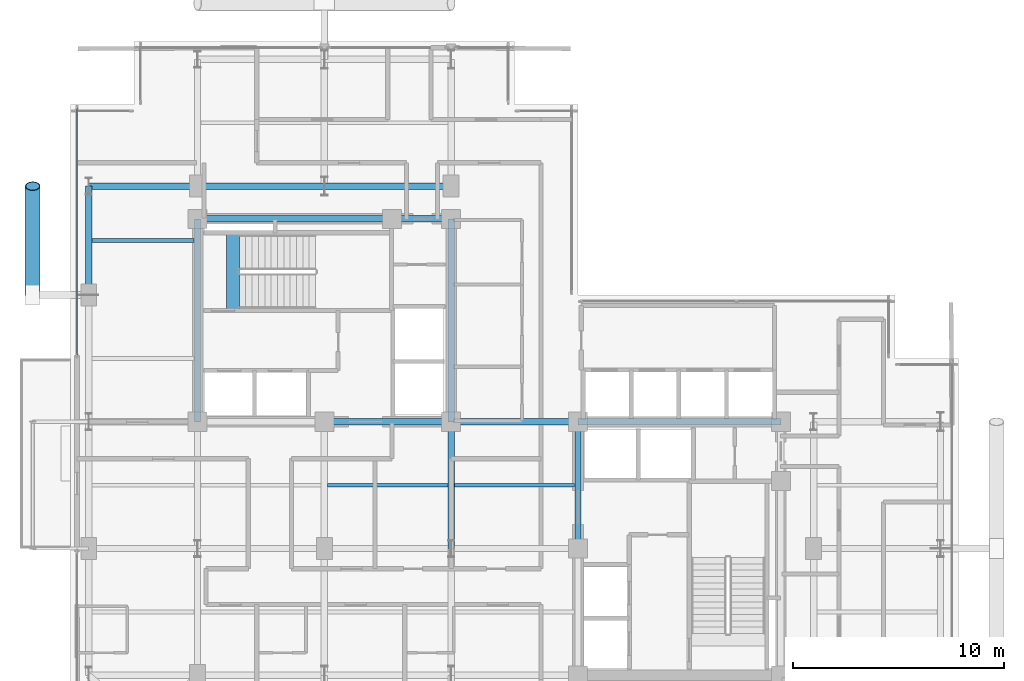
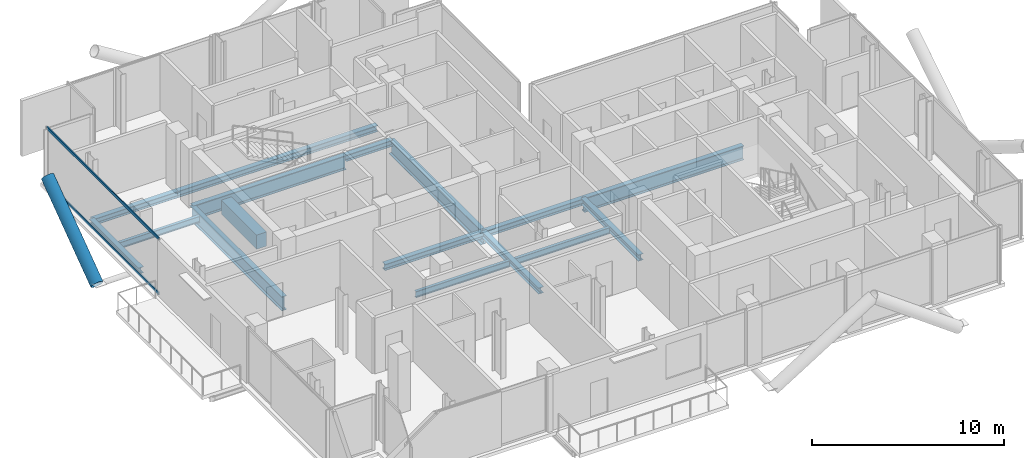
# One storey, part 8 of 22: 17 beams, 3 members, 1 element without a shape of its own.
"""IFC4 building model written with IfcOpenShell, lengths in metres."""

from ifc_helpers import new_model, si_unit, direction, frame, origin, origin_2d, place, context, subcontext, project, spatial, rectangle, hollow_rectangle, hollow_circle, i_section, extrude, material, layer, layer_set, material_profile, profile_set, type_object, element, aggregate, save


model = new_model("IFC4")

# Units and contexts
model_context = context("Model", 3, precision=1e-05, world=origin(), true_north=direction((0.0, 1.0)))
body_context = subcontext(model_context, "Body", "Model", "MODEL_VIEW")
ifc_project = project(units=[si_unit("LENGTHUNIT", "METRE"), si_unit("AREAUNIT", "SQUARE_METRE"), si_unit("VOLUMEUNIT", "CUBIC_METRE"), si_unit("PLANEANGLEUNIT", "RADIAN"), si_unit("MASSUNIT", "GRAM", prefix="KILO"), si_unit("THERMODYNAMICTEMPERATUREUNIT", "KELVIN"), si_unit("POWERUNIT", "WATT")], contexts=[model_context])

# Site, building, storey
site_placement = place(None, origin())
site = spatial("IfcSite", under=ifc_project, at=site_placement, CompositionType="ELEMENT")
building_placement = place(site_placement, origin())
building = spatial("IfcBuilding", under=site, at=building_placement, Name="Svarakhadi Broadcast Tower", CompositionType="ELEMENT")
storey_placement = place(building_placement, frame((0.0, 0.0, 176.699951171875)))
storey = spatial("IfcBuildingStorey", under=building, at=storey_placement, Name="L43", CompositionType="ELEMENT", Elevation=176.699951171875)

# Beams
ifc_material_1 = material(Name="Steel S355J2 (IS 2062 E350C)", Category="steel")
ifc_material_profile_1 = material_profile(ifc_material_1, i_section(OverallWidth=0.179931640625, OverallDepth=0.39990234375, WebThickness=0.008544921875, FlangeThickness=0.013427734375, FilletRadius=0.02099609375, at=origin_2d()), Name="NPB 400x180x66")
ifc_profile_set_1 = profile_set([ifc_material_profile_1], Name="Steel S355J2 (IS 2062 E350C)")
beam_type_1 = type_object("IfcBeamType", Name="Beam_NPB400", PredefinedType="BEAM", material=ifc_profile_set_1)
beam_1_placement = place(storey_placement, frame((1.010009765625, 26.574951171875, -0.409912109375), z_axis=(1.0, 0.0, 0.0), x_axis=(0.0, 1.0, 0.0)))
element("IfcBeam", 1, at=beam_1_placement, inside=storey, type_object=beam_type_1, Name="L43 Secondary Composite Beam SB004", PredefinedType="BEAM", context=body_context, shape_type="SweptSolid", body=[
    extrude(i_section(OverallWidth=0.179931640625, OverallDepth=0.39990234375, WebThickness=0.008544921875, FlangeThickness=0.013427734375, FilletRadius=0.02099609375, at=origin_2d()), origin(), (0.0, 0.0, 1.0), 4.830078125),
])
for number, where, z_axis, x_axis, name in (
    (2, (12.159912109375, 15.0, -0.409912109375), (1.0, 0.0, 0.0), (0.0, 1.0, 0.0), "L43 Secondary Composite Beam SB011"),
    (3, (18.159912109375, 15.0, -0.409912109375), (1.0, 0.0, 0.0), (0.0, 1.0, 0.0), "L43 Secondary Composite Beam SB015"),
):
    element("IfcBeam", number, at=place(storey_placement, frame(where, z_axis=z_axis, x_axis=x_axis)), inside=storey, type_object=beam_type_1, Name=name, PredefinedType="BEAM", context=body_context, shape_type="SweptSolid", body=[
        extrude(i_section(OverallWidth=0.179931640625, OverallDepth=0.39990234375, WebThickness=0.008544921875, FlangeThickness=0.013427734375, FilletRadius=0.02099609375, at=origin_2d()), origin(), (0.0, 0.0, 1.0), 5.68017578125),
    ])

# Curtain wall, members
ifc_material_2 = material(Name="Anodised Bronze Aluminium AA 6063-T6", Category="aluminium")
ifc_layer = layer(ifc_material_2, 0.18994140625)
ifc_layer_set = layer_set([ifc_layer], Name="Anodised Bronze Aluminium AA 6063-T6")
curtain_wall_type = type_object("IfcCurtainWallType", Name="CW_Sys_04", PredefinedType="NOTDEFINED", material=ifc_layer_set)
curtain_wall_placement = place(storey_placement, origin())
curtain_wall = element("IfcCurtainWall", 4, at=curtain_wall_placement, inside=storey, type_object=curtain_wall_type, Name="L43 West Curtain Wall 03", PredefinedType="NOTDEFINED")
ifc_material_profile_2 = material_profile(ifc_material_2, hollow_rectangle(XDim=0.06494140625, YDim=0.175048828125, WallThickness=0.0048828125, at=origin_2d()), Name="ALU TRANSOM 175x65x5")
ifc_profile_set_2 = profile_set([ifc_material_profile_2], Name="Anodised Bronze Aluminium AA 6063-T6")
member_type_1 = type_object("IfcMemberType", Name="CW_Sys_04_Trn", PredefinedType="USERDEFINED", material=ifc_profile_set_2)
member_1_placement = place(storey_placement, frame((0.300048828125, 21.159912109375, 0.032470703125), z_axis=(0.0, 1.0, 0.0), x_axis=(-1.0, 0.0, 0.0)))
member_1 = element("IfcMember", 5, at=member_1_placement, type_object=member_type_1, Name="CW-04 transom 1.1", ObjectType="TRANSOM", PredefinedType="USERDEFINED", context=body_context, shape_type="SweptSolid", body=[
    extrude(hollow_rectangle(XDim=0.06494140625, YDim=0.175048828125, WallThickness=0.0048828125, at=origin_2d()), origin(), (0.0, 0.0, 1.0), 11.68017578125),
])
member_2_placement = place(storey_placement, frame((0.300048828125, 21.159912109375, 3.507568359375), z_axis=(0.0, 1.0, 0.0), x_axis=(-1.0, 0.0, 0.0)))
member_2 = element("IfcMember", 6, at=member_2_placement, type_object=member_type_1, Name="CW-04 transom 1.2", ObjectType="TRANSOM", PredefinedType="USERDEFINED", context=body_context, shape_type="SweptSolid", body=[
    extrude(hollow_rectangle(XDim=0.06494140625, YDim=0.175048828125, WallThickness=0.0048828125, at=origin_2d()), origin(), (0.0, 0.0, 1.0), 11.68017578125),
])
aggregate(curtain_wall, [member_1, member_2])

# Beam
ifc_material_3 = material(Name="Concrete C50/60 (IS 456 M60)", Category="concrete")
ifc_material_profile_3 = material_profile(ifc_material_3, rectangle(XDim=0.60009765625, YDim=0.89990234375, at=origin_2d()), Name="RC 600x900")
ifc_profile_set_3 = profile_set([ifc_material_profile_3], Name="Concrete C50/60 (IS 456 M60)")
beam_type_2 = type_object("IfcBeamType", Name="Coupling_RC600", PredefinedType="USERDEFINED", material=ifc_profile_set_3)
beam_2_placement = place(storey_placement, frame((7.679931640625, 23.260009765625, -0.449951171875), z_axis=(0.0, 1.0, 0.0), x_axis=(-1.0, 0.0, 0.0)))
element("IfcBeam", 7, at=beam_2_placement, inside=storey, type_object=beam_type_2, Name="L43 Stair ST-01 Landing Throat Trimmer Beam CB-01", ObjectType="GIRDER", PredefinedType="USERDEFINED", context=body_context, shape_type="SweptSolid", body=[
    extrude(rectangle(XDim=0.60009765625, YDim=0.89990234375, at=origin_2d()), origin(), (0.0, 0.0, 1.0), 3.679931640625),
])

# Member
ifc_material_4 = material(Name="Steel S460ML (IS 2062 E450BR)", Category="steel")
ifc_material_profile_4 = material_profile(ifc_material_4, hollow_circle(Radius=0.35546875, WallThickness=0.034912109375, at=origin_2d()), Name="CHS 711x35")
ifc_profile_set_4 = profile_set([ifc_material_profile_4], Name="Steel S460ML (IS 2062 E450BR)")
member_type_2 = type_object("IfcMemberType", Name="Exo_Brace_CHS711", PredefinedType="BRACE", material=ifc_profile_set_4)
member_3_placement = place(storey_placement, frame((-1.800048828125, 24.0, -0.371826171875), z_axis=(0.0, 0.808391243061, 0.588645562407), x_axis=(-1.0, 0.0, 0.0)))
element("IfcMember", 8, at=member_3_placement, inside=storey, type_object=member_type_2, Name="L43 Exposed Bronze Exoskeleton Diagonal W03", PredefinedType="BRACE", context=body_context, shape_type="SweptSolid", body=[
    extrude(hollow_circle(Radius=0.35546875, WallThickness=0.034912109375, at=origin_2d()), origin(), (0.0, 0.0, 1.0), 6.37060546875),
])

# Beams
ifc_material_profile_5 = material_profile(ifc_material_1, i_section(OverallWidth=0.300048828125, OverallDepth=0.39990234375, WebThickness=0.013427734375, FlangeThickness=0.02392578125, FilletRadius=0.027099609375, at=origin_2d()), Name="WPB 400x300x155")
ifc_profile_set_5 = profile_set([ifc_material_profile_5], Name="Steel S355J2 (IS 2062 E350C)")
beam_type_3 = type_object("IfcBeamType", Name="Girder_WPB400", PredefinedType="USERDEFINED", material=ifc_profile_set_5)
for number, where, z_axis, x_axis, name in (
    (9, (12.0, 18.0, -0.409912109375), (1.0, 0.0, 0.0), (0.0, 1.0, 0.0), "L43 Primary E-W Girder G022"),
    (10, (18.0, 18.0, -0.409912109375), (1.0, 0.0, 0.0), (0.0, 1.0, 0.0), "L43 Primary E-W Girder G023"),
):
    element("IfcBeam", number, at=place(storey_placement, frame(where, z_axis=z_axis, x_axis=x_axis)), inside=storey, type_object=beam_type_3, Name=name, ObjectType="GIRDER", PredefinedType="USERDEFINED", context=body_context, shape_type="SweptSolid", body=[
        extrude(i_section(OverallWidth=0.300048828125, OverallDepth=0.39990234375, WebThickness=0.013427734375, FlangeThickness=0.02392578125, FilletRadius=0.027099609375, at=origin_2d()), origin(), (0.0, 0.0, 1.0), 6.0),
    ])
beam_3_placement = place(storey_placement, frame((15.199951171875, 27.60009765625, -0.409912109375), z_axis=(1.0, 0.0, 0.0), x_axis=(0.0, 1.0, 0.0)))
element("IfcBeam", 11, at=beam_3_placement, inside=storey, type_object=beam_type_3, Name="L43 Primary E-W Girder G027", ObjectType="GIRDER", PredefinedType="USERDEFINED", context=body_context, shape_type="SweptSolid", body=[
    extrude(i_section(OverallWidth=0.300048828125, OverallDepth=0.39990234375, WebThickness=0.013427734375, FlangeThickness=0.02392578125, FilletRadius=0.027099609375, at=origin_2d()), origin(), (0.0, 0.0, 1.0), 2.800048828125),
])
beam_4_placement = place(storey_placement, frame((0.85009765625, 29.14990234375, -0.409912109375), z_axis=(1.0, 0.0, 0.0), x_axis=(0.0, 1.0, 0.0)))
element("IfcBeam", 12, at=beam_4_placement, inside=storey, type_object=beam_type_3, Name="L43 Primary E-W Girder G028", ObjectType="GIRDER", PredefinedType="USERDEFINED", context=body_context, shape_type="SweptSolid", body=[
    extrude(i_section(OverallWidth=0.300048828125, OverallDepth=0.39990234375, WebThickness=0.013427734375, FlangeThickness=0.02392578125, FilletRadius=0.027099609375, at=origin_2d()), origin(), (0.0, 0.0, 1.0), 5.14990234375),
])
for number, where, z_axis, x_axis, name in (
    (13, (6.0, 29.14990234375, -0.409912109375), (1.0, 0.0, 0.0), (0.0, 1.0, 0.0), "L43 Primary E-W Girder G029"),
    (14, (12.0, 29.14990234375, -0.409912109375), (1.0, 0.0, 0.0), (0.0, 1.0, 0.0), "L43 Primary E-W Girder G030"),
):
    element("IfcBeam", number, at=place(storey_placement, frame(where, z_axis=z_axis, x_axis=x_axis)), inside=storey, type_object=beam_type_3, Name=name, ObjectType="GIRDER", PredefinedType="USERDEFINED", context=body_context, shape_type="SweptSolid", body=[
        extrude(i_section(OverallWidth=0.300048828125, OverallDepth=0.39990234375, WebThickness=0.013427734375, FlangeThickness=0.02392578125, FilletRadius=0.027099609375, at=origin_2d()), origin(), (0.0, 0.0, 1.0), 6.0),
    ])
beam_5_placement = place(storey_placement, frame((0.85009765625, 24.0, -0.409912109375), z_axis=(0.0, 1.0, 0.0), x_axis=(-1.0, 0.0, 0.0)))
element("IfcBeam", 15, at=beam_5_placement, inside=storey, type_object=beam_type_3, Name="L43 Primary N-S Girder G036", ObjectType="GIRDER", PredefinedType="USERDEFINED", context=body_context, shape_type="SweptSolid", body=[
    extrude(i_section(OverallWidth=0.300048828125, OverallDepth=0.39990234375, WebThickness=0.013427734375, FlangeThickness=0.02392578125, FilletRadius=0.027099609375, at=origin_2d()), origin(), (0.0, 0.0, 1.0), 5.14990234375),
])
for number, where, z_axis, x_axis, name in (
    (16, (18.0, 12.0, -0.409912109375), (0.0, 1.0, 0.0), (-1.0, 0.0, 0.0), "L43 Primary N-S Girder G048"),
    (17, (24.0, 12.0, -0.409912109375), (0.0, 1.0, 0.0), (-1.0, 0.0, 0.0), "L43 Primary N-S Girder G053"),
):
    element("IfcBeam", number, at=place(storey_placement, frame(where, z_axis=z_axis, x_axis=x_axis)), inside=storey, type_object=beam_type_3, Name=name, ObjectType="GIRDER", PredefinedType="USERDEFINED", context=body_context, shape_type="SweptSolid", body=[
        extrude(i_section(OverallWidth=0.300048828125, OverallDepth=0.39990234375, WebThickness=0.013427734375, FlangeThickness=0.02392578125, FilletRadius=0.027099609375, at=origin_2d()), origin(), (0.0, 0.0, 1.0), 6.0),
    ])
ifc_material_profile_6 = material_profile(ifc_material_4, i_section(OverallWidth=0.300048828125, OverallDepth=0.89990234375, WebThickness=0.0185546875, FlangeThickness=0.034912109375, FilletRadius=0.030029296875, at=origin_2d()), Name="WPB 900x300x291")
ifc_profile_set_6 = profile_set([ifc_material_profile_6], Name="Steel S460ML (IS 2062 E450BR)")
beam_type_4 = type_object("IfcBeamType", Name="Girder_WPB900", PredefinedType="USERDEFINED", material=ifc_profile_set_6)
beam_6_placement = place(storey_placement, frame((24.0, 18.0, -0.659912109375), z_axis=(1.0, 0.0, 0.0), x_axis=(0.0, 1.0, 0.0)))
element("IfcBeam", 18, at=beam_6_placement, inside=storey, type_object=beam_type_4, Name="L43 Primary E-W Girder G024", ObjectType="GIRDER", PredefinedType="USERDEFINED", context=body_context, shape_type="SweptSolid", body=[
    extrude(i_section(OverallWidth=0.300048828125, OverallDepth=0.89990234375, WebThickness=0.0185546875, FlangeThickness=0.034912109375, FilletRadius=0.030029296875, at=origin_2d()), origin(), (0.0, 0.0, 1.0), 9.60009765625),
])
beam_7_placement = place(storey_placement, frame((6.0, 27.60009765625, -0.659912109375), z_axis=(1.0, 0.0, 0.0), x_axis=(0.0, 1.0, 0.0)))
element("IfcBeam", 19, at=beam_7_placement, inside=storey, type_object=beam_type_4, Name="L43 Primary E-W Girder G026", ObjectType="GIRDER", PredefinedType="USERDEFINED", context=body_context, shape_type="SweptSolid", body=[
    extrude(i_section(OverallWidth=0.300048828125, OverallDepth=0.89990234375, WebThickness=0.0185546875, FlangeThickness=0.034912109375, FilletRadius=0.030029296875, at=origin_2d()), origin(), (0.0, 0.0, 1.0), 9.199951171875),
])
for number, where, z_axis, x_axis, name in (
    (20, (6.0, 18.0, -0.659912109375), (0.0, 1.0, 0.0), (-1.0, 0.0, 0.0), "L43 Primary N-S Girder G040"),
    (21, (18.0, 18.0, -0.659912109375), (0.0, 1.0, 0.0), (-1.0, 0.0, 0.0), "L43 Primary N-S Girder G049"),
):
    element("IfcBeam", number, at=place(storey_placement, frame(where, z_axis=z_axis, x_axis=x_axis)), inside=storey, type_object=beam_type_4, Name=name, ObjectType="GIRDER", PredefinedType="USERDEFINED", context=body_context, shape_type="SweptSolid", body=[
        extrude(i_section(OverallWidth=0.300048828125, OverallDepth=0.89990234375, WebThickness=0.0185546875, FlangeThickness=0.034912109375, FilletRadius=0.030029296875, at=origin_2d()), origin(), (0.0, 0.0, 1.0), 9.60009765625),
    ])

save(model, "model.ifc")
